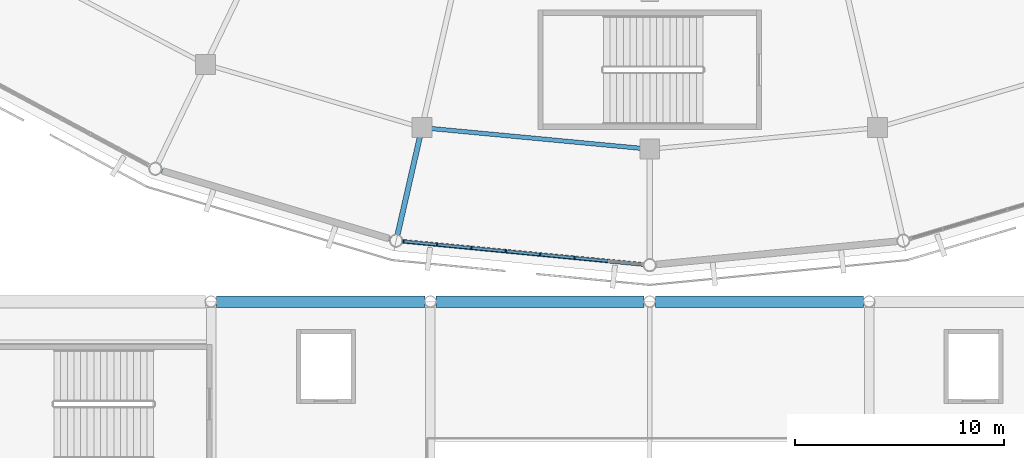
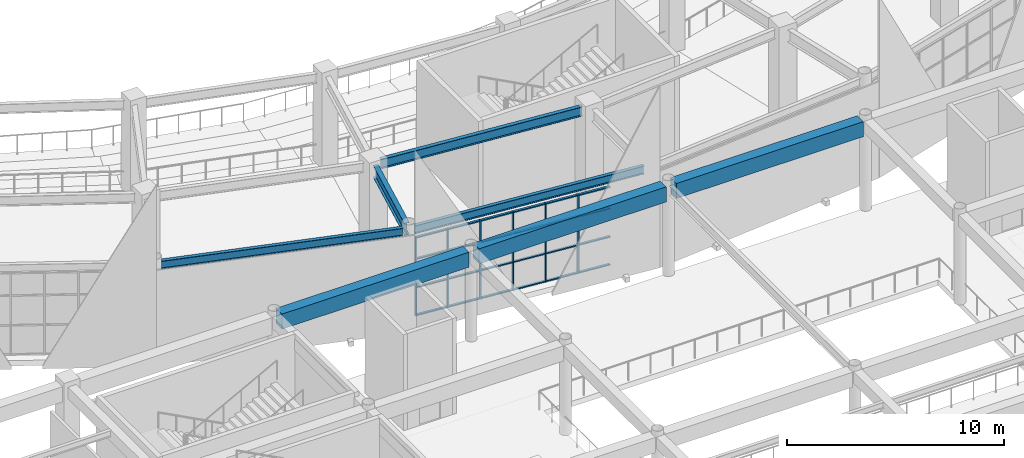
# One storey, part 24 of 120: 30 members, 7 beams, 1 element without a shape of its own.
"""IFC4 building model written with IfcOpenShell, lengths in metres."""

from ifc_helpers import new_model, si_unit, direction, frame, origin, origin_2d, place, context, subcontext, project, spatial, rectangle, i_section, extrude, material, material_profile, profile_set, type_object, element, aggregate, save


model = new_model("IFC4")

# Units and contexts
model_context = context("Model", 3, precision=1e-05, world=origin(), true_north=direction((0.0, 1.0)))
body_context = subcontext(model_context, "Body", "Model", "MODEL_VIEW")
ifc_project = project(units=[si_unit("LENGTHUNIT", "METRE"), si_unit("AREAUNIT", "SQUARE_METRE"), si_unit("VOLUMEUNIT", "CUBIC_METRE"), si_unit("PLANEANGLEUNIT", "RADIAN"), si_unit("MASSUNIT", "GRAM", prefix="KILO")], contexts=[model_context])

# Site, building, storey
site_placement = place(None, origin())
site = spatial("IfcSite", under=ifc_project, at=site_placement, CompositionType="ELEMENT")
building_placement = place(site_placement, origin())
building = spatial("IfcBuilding", under=site, at=building_placement, Name="Cuetzalor Civic Arena", CompositionType="ELEMENT")
storey_placement = place(building_placement, frame((0.0, 0.0, 6.0)))
storey = spatial("IfcBuildingStorey", under=building, at=storey_placement, Name="L01", CompositionType="ELEMENT", Elevation=6.0)

# Beams
ifc_material_1 = material(Name="Concrete C40/50", Category="concrete")
ifc_material_profile_1 = material_profile(ifc_material_1, rectangle(XDim=0.550048828125, YDim=0.85009765625, at=origin_2d()), Name="RC 550x850")
ifc_profile_set_1 = profile_set([ifc_material_profile_1], Name="Concrete C40/50")
beam_type_1 = type_object("IfcBeamType", Name="ConcreteFrameBeam_550x850", PredefinedType="BEAM", material=ifc_profile_set_1)
for number, where, z_axis, x_axis, name in (
    (1, (-20.73046875, -48.300048828125, 4.695068359375), (1.0, 0.0, 0.0), (0.0, 1.0, 0.0), "Frame Girder V3-L01-X0313"),
    (2, (-10.23046875, -48.300048828125, 4.695068359375), (1.0, 0.0, 0.0), (0.0, 1.0, 0.0), "Frame Girder V3-L01-X0314"),
    (3, (0.26953125, -48.300048828125, 4.695068359375), (1.0, 0.0, 0.0), (0.0, 1.0, 0.0), "Frame Girder V3-L01-X0315"),
):
    element("IfcBeam", number, at=place(storey_placement, frame(where, z_axis=z_axis, x_axis=x_axis)), inside=storey, type_object=beam_type_1, Name=name, PredefinedType="BEAM", context=body_context, shape_type="SweptSolid", body=[
        extrude(rectangle(XDim=0.550048828125, YDim=0.85009765625, at=origin_2d()), origin(), (0.0, 0.0, 1.0), 9.9609375),
    ])

# Curtain wall, members
ifc_material_2 = material(Name="Anodised dark bronze aluminium and low-E solar glass", Category="aluminium")
curtain_wall_type = type_object("IfcCurtainWallType", Name="UnitisedCW_11550x4450", PredefinedType="USERDEFINED", material=ifc_material_2)
curtain_wall_placement = place(storey_placement, origin())
curtain_wall = element("IfcCurtainWall", 4, at=curtain_wall_placement, inside=storey, type_object=curtain_wall_type, Name="Drum Triangle Foyer Curtain Wall L01-029", ObjectType="UNITISED CURTAIN WALL", PredefinedType="USERDEFINED")
ifc_material_3 = material(Name="Anodised dark bronze aluminium", Category="aluminium")
ifc_material_profile_2 = material_profile(ifc_material_3, rectangle(XDim=0.06494140625, YDim=0.14990234375, at=origin_2d()), Name="ALU MULLION 65x150")
ifc_profile_set_2 = profile_set([ifc_material_profile_2], Name="Anodised dark bronze aluminium")
member_type_1 = type_object("IfcMemberType", Name="CurtainWallMullion_60x150", PredefinedType="MULLION", material=ifc_profile_set_2)
member_1_placement = place(storey_placement, frame((-3.602294921875, -46.20361328125, 0.0), z_axis=(0.0, 0.0, 1.0), x_axis=(-0.995409139996, 0.095711253324, 0.0)))
member_1 = element("IfcMember", 5, at=member_1_placement, type_object=member_type_1, Name="CW-08 mullion 3", PredefinedType="MULLION", context=body_context, shape_type="SweptSolid", body=[
    extrude(rectangle(XDim=0.06494140625, YDim=0.14990234375, at=origin_2d()), origin(), (0.0, 0.0, 1.0), 4.431884765625),
])
member_2_placement = place(storey_placement, frame((-5.2470703125, -46.04541015625, 0.0), z_axis=(0.0, 0.0, 1.0), x_axis=(-0.995409139996, 0.095711253324, 0.0)))
member_2 = element("IfcMember", 6, at=member_2_placement, type_object=member_type_1, Name="CW-08 mullion 4", PredefinedType="MULLION", context=body_context, shape_type="SweptSolid", body=[
    extrude(rectangle(XDim=0.06494140625, YDim=0.14990234375, at=origin_2d()), origin(), (0.0, 0.0, 1.0), 4.431884765625),
])
member_3_placement = place(storey_placement, frame((-6.8916015625, -45.887451171875, 0.0), z_axis=(0.0, 0.0, 1.0), x_axis=(-0.995409139996, 0.095711253324, 0.0)))
member_3 = element("IfcMember", 7, at=member_3_placement, type_object=member_type_1, Name="CW-08 mullion 5", PredefinedType="MULLION", context=body_context, shape_type="SweptSolid", body=[
    extrude(rectangle(XDim=0.06494140625, YDim=0.14990234375, at=origin_2d()), origin(), (0.0, 0.0, 1.0), 4.431884765625),
])
member_4_placement = place(storey_placement, frame((-8.5361328125, -45.729248046875, 0.0), z_axis=(0.0, 0.0, 1.0), x_axis=(-0.995409139996, 0.095711253324, 0.0)))
member_4 = element("IfcMember", 8, at=member_4_placement, type_object=member_type_1, Name="CW-08 mullion 6", PredefinedType="MULLION", context=body_context, shape_type="SweptSolid", body=[
    extrude(rectangle(XDim=0.06494140625, YDim=0.14990234375, at=origin_2d()), origin(), (0.0, 0.0, 1.0), 4.431884765625),
])
member_5_placement = place(storey_placement, frame((-10.1806640625, -45.571044921875, 0.0), z_axis=(0.0, 0.0, 1.0), x_axis=(-0.995409139996, 0.095711253324, 0.0)))
member_5 = element("IfcMember", 9, at=member_5_placement, type_object=member_type_1, Name="CW-08 mullion 7", PredefinedType="MULLION", context=body_context, shape_type="SweptSolid", body=[
    extrude(rectangle(XDim=0.06494140625, YDim=0.14990234375, at=origin_2d()), origin(), (0.0, 0.0, 1.0), 4.431884765625),
])
member_6_placement = place(storey_placement, frame((-11.79296875, -45.416015625, 0.0), z_axis=(0.0, 0.0, 1.0), x_axis=(-0.995409139996, 0.095711253324, 0.0)))
member_6 = element("IfcMember", 10, at=member_6_placement, type_object=member_type_1, Name="CW-08 mullion 8", PredefinedType="MULLION", context=body_context, shape_type="SweptSolid", body=[
    extrude(rectangle(XDim=0.06494140625, YDim=0.14990234375, at=origin_2d()), origin(), (0.0, 0.0, 1.0), 4.431884765625),
])
ifc_material_4 = material(Name="Anodised dark bronze aluminium", Category="aluminium")
ifc_material_profile_3 = material_profile(ifc_material_4, rectangle(XDim=0.1201171875, YDim=0.06494140625, at=origin_2d()), Name="ALU TRANSOM 65x120")
ifc_profile_set_3 = profile_set([ifc_material_profile_3], Name="Anodised dark bronze aluminium")
member_type_2 = type_object("IfcMemberType", Name="CurtainWallTransom_60x120", PredefinedType="USERDEFINED", material=ifc_profile_set_3)
member_7_placement = place(storey_placement, frame((-1.990234375, -46.358642578125, 0.032470703125), z_axis=(-0.995412128785, 0.095680164442, 0.0), x_axis=(-0.095680164442, -0.995412128785, 0.0)))
member_7 = element("IfcMember", 11, at=member_7_placement, type_object=member_type_2, Name="CW-08 transom 2.1", ObjectType="TRANSOM", PredefinedType="USERDEFINED", context=body_context, shape_type="SweptSolid", body=[
    extrude(rectangle(XDim=0.1201171875, YDim=0.06494140625, at=origin_2d()), origin(), (0.0, 0.0, 1.0), 1.587158203125),
])
member_8_placement = place(storey_placement, frame((-1.990234375, -46.358642578125, 1.595947265625), z_axis=(-0.995412128785, 0.095680164442, 0.0), x_axis=(-0.095680164442, -0.995412128785, 0.0)))
member_8 = element("IfcMember", 12, at=member_8_placement, type_object=member_type_2, Name="CW-08 transom 2.2", ObjectType="TRANSOM", PredefinedType="USERDEFINED", context=body_context, shape_type="SweptSolid", body=[
    extrude(rectangle(XDim=0.1201171875, YDim=0.06494140625, at=origin_2d()), origin(), (0.0, 0.0, 1.0), 1.587158203125),
])
member_9_placement = place(storey_placement, frame((-1.990234375, -46.358642578125, 3.19091796875), z_axis=(-0.995412128785, 0.095680164442, 0.0), x_axis=(-0.095680164442, -0.995412128785, 0.0)))
member_9 = element("IfcMember", 13, at=member_9_placement, type_object=member_type_2, Name="CW-08 transom 2.3", ObjectType="TRANSOM", PredefinedType="USERDEFINED", context=body_context, shape_type="SweptSolid", body=[
    extrude(rectangle(XDim=0.1201171875, YDim=0.06494140625, at=origin_2d()), origin(), (0.0, 0.0, 1.0), 1.587158203125),
])
member_10_placement = place(storey_placement, frame((-1.990234375, -46.358642578125, 4.3994140625), z_axis=(-0.995412128785, 0.095680164442, 0.0), x_axis=(-0.095680164442, -0.995412128785, 0.0)))
member_10 = element("IfcMember", 14, at=member_10_placement, type_object=member_type_2, Name="CW-08 transom 2.4", ObjectType="TRANSOM", PredefinedType="USERDEFINED", context=body_context, shape_type="SweptSolid", body=[
    extrude(rectangle(XDim=0.1201171875, YDim=0.06494140625, at=origin_2d()), origin(), (0.0, 0.0, 1.0), 1.587158203125),
])
member_11_placement = place(storey_placement, frame((-3.634765625, -46.200439453125, 0.032470703125), z_axis=(-0.995412128785, 0.095680164442, 0.0), x_axis=(-0.095680164442, -0.995412128785, 0.0)))
member_11 = element("IfcMember", 15, at=member_11_placement, type_object=member_type_2, Name="CW-08 transom 3.1", ObjectType="TRANSOM", PredefinedType="USERDEFINED", context=body_context, shape_type="SweptSolid", body=[
    extrude(rectangle(XDim=0.1201171875, YDim=0.06494140625, at=origin_2d()), origin(), (0.0, 0.0, 1.0), 1.587158203125),
])
member_12_placement = place(storey_placement, frame((-3.634765625, -46.200439453125, 1.595947265625), z_axis=(-0.995412128785, 0.095680164442, 0.0), x_axis=(-0.095680164442, -0.995412128785, 0.0)))
member_12 = element("IfcMember", 16, at=member_12_placement, type_object=member_type_2, Name="CW-08 transom 3.2", ObjectType="TRANSOM", PredefinedType="USERDEFINED", context=body_context, shape_type="SweptSolid", body=[
    extrude(rectangle(XDim=0.1201171875, YDim=0.06494140625, at=origin_2d()), origin(), (0.0, 0.0, 1.0), 1.587158203125),
])
member_13_placement = place(storey_placement, frame((-3.634765625, -46.200439453125, 3.19091796875), z_axis=(-0.995412128785, 0.095680164442, 0.0), x_axis=(-0.095680164442, -0.995412128785, 0.0)))
member_13 = element("IfcMember", 17, at=member_13_placement, type_object=member_type_2, Name="CW-08 transom 3.3", ObjectType="TRANSOM", PredefinedType="USERDEFINED", context=body_context, shape_type="SweptSolid", body=[
    extrude(rectangle(XDim=0.1201171875, YDim=0.06494140625, at=origin_2d()), origin(), (0.0, 0.0, 1.0), 1.587158203125),
])
member_14_placement = place(storey_placement, frame((-3.634765625, -46.200439453125, 4.3994140625), z_axis=(-0.995412128785, 0.095680164442, 0.0), x_axis=(-0.095680164442, -0.995412128785, 0.0)))
member_14 = element("IfcMember", 18, at=member_14_placement, type_object=member_type_2, Name="CW-08 transom 3.4", ObjectType="TRANSOM", PredefinedType="USERDEFINED", context=body_context, shape_type="SweptSolid", body=[
    extrude(rectangle(XDim=0.1201171875, YDim=0.06494140625, at=origin_2d()), origin(), (0.0, 0.0, 1.0), 1.587158203125),
])
member_15_placement = place(storey_placement, frame((-5.279296875, -46.04248046875, 0.032470703125), z_axis=(-0.9953974667, 0.095832579471, 0.0), x_axis=(-0.095832579471, -0.9953974667, 0.0)))
member_15 = element("IfcMember", 19, at=member_15_placement, type_object=member_type_2, Name="CW-08 transom 4.1", ObjectType="TRANSOM", PredefinedType="USERDEFINED", context=body_context, shape_type="SweptSolid", body=[
    extrude(rectangle(XDim=0.1201171875, YDim=0.06494140625, at=origin_2d()), origin(), (0.0, 0.0, 1.0), 1.587158203125),
])
member_16_placement = place(storey_placement, frame((-5.279296875, -46.04248046875, 1.595947265625), z_axis=(-0.9953974667, 0.095832579471, 0.0), x_axis=(-0.095832579471, -0.9953974667, 0.0)))
member_16 = element("IfcMember", 20, at=member_16_placement, type_object=member_type_2, Name="CW-08 transom 4.2", ObjectType="TRANSOM", PredefinedType="USERDEFINED", context=body_context, shape_type="SweptSolid", body=[
    extrude(rectangle(XDim=0.1201171875, YDim=0.06494140625, at=origin_2d()), origin(), (0.0, 0.0, 1.0), 1.587158203125),
])
member_17_placement = place(storey_placement, frame((-5.279296875, -46.04248046875, 3.19091796875), z_axis=(-0.9953974667, 0.095832579471, 0.0), x_axis=(-0.095832579471, -0.9953974667, 0.0)))
member_17 = element("IfcMember", 21, at=member_17_placement, type_object=member_type_2, Name="CW-08 transom 4.3", ObjectType="TRANSOM", PredefinedType="USERDEFINED", context=body_context, shape_type="SweptSolid", body=[
    extrude(rectangle(XDim=0.1201171875, YDim=0.06494140625, at=origin_2d()), origin(), (0.0, 0.0, 1.0), 1.587158203125),
])
member_18_placement = place(storey_placement, frame((-5.279296875, -46.04248046875, 4.3994140625), z_axis=(-0.9953974667, 0.095832579471, 0.0), x_axis=(-0.095832579471, -0.9953974667, 0.0)))
member_18 = element("IfcMember", 22, at=member_18_placement, type_object=member_type_2, Name="CW-08 transom 4.4", ObjectType="TRANSOM", PredefinedType="USERDEFINED", context=body_context, shape_type="SweptSolid", body=[
    extrude(rectangle(XDim=0.1201171875, YDim=0.06494140625, at=origin_2d()), origin(), (0.0, 0.0, 1.0), 1.587158203125),
])
member_19_placement = place(storey_placement, frame((-6.923828125, -45.88427734375, 0.032470703125), z_axis=(-0.995412128785, 0.095680164442, 0.0), x_axis=(-0.095680164442, -0.995412128785, 0.0)))
member_19 = element("IfcMember", 23, at=member_19_placement, type_object=member_type_2, Name="CW-08 transom 5.1", ObjectType="TRANSOM", PredefinedType="USERDEFINED", context=body_context, shape_type="SweptSolid", body=[
    extrude(rectangle(XDim=0.1201171875, YDim=0.06494140625, at=origin_2d()), origin(), (0.0, 0.0, 1.0), 1.587158203125),
])
member_20_placement = place(storey_placement, frame((-6.923828125, -45.88427734375, 1.595947265625), z_axis=(-0.995412128785, 0.095680164442, 0.0), x_axis=(-0.095680164442, -0.995412128785, 0.0)))
member_20 = element("IfcMember", 24, at=member_20_placement, type_object=member_type_2, Name="CW-08 transom 5.2", ObjectType="TRANSOM", PredefinedType="USERDEFINED", context=body_context, shape_type="SweptSolid", body=[
    extrude(rectangle(XDim=0.1201171875, YDim=0.06494140625, at=origin_2d()), origin(), (0.0, 0.0, 1.0), 1.587158203125),
])
member_21_placement = place(storey_placement, frame((-6.923828125, -45.88427734375, 3.19091796875), z_axis=(-0.995412128785, 0.095680164442, 0.0), x_axis=(-0.095680164442, -0.995412128785, 0.0)))
member_21 = element("IfcMember", 25, at=member_21_placement, type_object=member_type_2, Name="CW-08 transom 5.3", ObjectType="TRANSOM", PredefinedType="USERDEFINED", context=body_context, shape_type="SweptSolid", body=[
    extrude(rectangle(XDim=0.1201171875, YDim=0.06494140625, at=origin_2d()), origin(), (0.0, 0.0, 1.0), 1.587158203125),
])
member_22_placement = place(storey_placement, frame((-6.923828125, -45.88427734375, 4.3994140625), z_axis=(-0.995412128785, 0.095680164442, 0.0), x_axis=(-0.095680164442, -0.995412128785, 0.0)))
member_22 = element("IfcMember", 26, at=member_22_placement, type_object=member_type_2, Name="CW-08 transom 5.4", ObjectType="TRANSOM", PredefinedType="USERDEFINED", context=body_context, shape_type="SweptSolid", body=[
    extrude(rectangle(XDim=0.1201171875, YDim=0.06494140625, at=origin_2d()), origin(), (0.0, 0.0, 1.0), 1.587158203125),
])
member_23_placement = place(storey_placement, frame((-8.568359375, -45.72607421875, 0.032470703125), z_axis=(-0.995412128785, 0.095680164442, 0.0), x_axis=(-0.095680164442, -0.995412128785, 0.0)))
member_23 = element("IfcMember", 27, at=member_23_placement, type_object=member_type_2, Name="CW-08 transom 6.1", ObjectType="TRANSOM", PredefinedType="USERDEFINED", context=body_context, shape_type="SweptSolid", body=[
    extrude(rectangle(XDim=0.1201171875, YDim=0.06494140625, at=origin_2d()), origin(), (0.0, 0.0, 1.0), 1.587158203125),
])
member_24_placement = place(storey_placement, frame((-8.568359375, -45.72607421875, 1.595947265625), z_axis=(-0.995412128785, 0.095680164442, 0.0), x_axis=(-0.095680164442, -0.995412128785, 0.0)))
member_24 = element("IfcMember", 28, at=member_24_placement, type_object=member_type_2, Name="CW-08 transom 6.2", ObjectType="TRANSOM", PredefinedType="USERDEFINED", context=body_context, shape_type="SweptSolid", body=[
    extrude(rectangle(XDim=0.1201171875, YDim=0.06494140625, at=origin_2d()), origin(), (0.0, 0.0, 1.0), 1.587158203125),
])
member_25_placement = place(storey_placement, frame((-8.568359375, -45.72607421875, 3.19091796875), z_axis=(-0.995412128785, 0.095680164442, 0.0), x_axis=(-0.095680164442, -0.995412128785, 0.0)))
member_25 = element("IfcMember", 29, at=member_25_placement, type_object=member_type_2, Name="CW-08 transom 6.3", ObjectType="TRANSOM", PredefinedType="USERDEFINED", context=body_context, shape_type="SweptSolid", body=[
    extrude(rectangle(XDim=0.1201171875, YDim=0.06494140625, at=origin_2d()), origin(), (0.0, 0.0, 1.0), 1.587158203125),
])
member_26_placement = place(storey_placement, frame((-8.568359375, -45.72607421875, 4.3994140625), z_axis=(-0.995412128785, 0.095680164442, 0.0), x_axis=(-0.095680164442, -0.995412128785, 0.0)))
member_26 = element("IfcMember", 30, at=member_26_placement, type_object=member_type_2, Name="CW-08 transom 6.4", ObjectType="TRANSOM", PredefinedType="USERDEFINED", context=body_context, shape_type="SweptSolid", body=[
    extrude(rectangle(XDim=0.1201171875, YDim=0.06494140625, at=origin_2d()), origin(), (0.0, 0.0, 1.0), 1.587158203125),
])
member_27_placement = place(storey_placement, frame((-10.212890625, -45.568115234375, 0.032470703125), z_axis=(-0.995401833719, 0.095787209113, 0.0), x_axis=(-0.095787209113, -0.995401833719, 0.0)))
member_27 = element("IfcMember", 31, at=member_27_placement, type_object=member_type_2, Name="CW-08 transom 7.1", ObjectType="TRANSOM", PredefinedType="USERDEFINED", context=body_context, shape_type="SweptSolid", body=[
    extrude(rectangle(XDim=0.1201171875, YDim=0.06494140625, at=origin_2d()), origin(), (0.0, 0.0, 1.0), 1.5546875),
])
member_28_placement = place(storey_placement, frame((-10.212890625, -45.568115234375, 1.595947265625), z_axis=(-0.995401833719, 0.095787209113, 0.0), x_axis=(-0.095787209113, -0.995401833719, 0.0)))
member_28 = element("IfcMember", 32, at=member_28_placement, type_object=member_type_2, Name="CW-08 transom 7.2", ObjectType="TRANSOM", PredefinedType="USERDEFINED", context=body_context, shape_type="SweptSolid", body=[
    extrude(rectangle(XDim=0.1201171875, YDim=0.06494140625, at=origin_2d()), origin(), (0.0, 0.0, 1.0), 1.5546875),
])
member_29_placement = place(storey_placement, frame((-10.212890625, -45.568115234375, 3.19091796875), z_axis=(-0.995401833719, 0.095787209113, 0.0), x_axis=(-0.095787209113, -0.995401833719, 0.0)))
member_29 = element("IfcMember", 33, at=member_29_placement, type_object=member_type_2, Name="CW-08 transom 7.3", ObjectType="TRANSOM", PredefinedType="USERDEFINED", context=body_context, shape_type="SweptSolid", body=[
    extrude(rectangle(XDim=0.1201171875, YDim=0.06494140625, at=origin_2d()), origin(), (0.0, 0.0, 1.0), 1.5546875),
])
member_30_placement = place(storey_placement, frame((-10.212890625, -45.568115234375, 4.3994140625), z_axis=(-0.995401833719, 0.095787209113, 0.0), x_axis=(-0.095787209113, -0.995401833719, 0.0)))
member_30 = element("IfcMember", 34, at=member_30_placement, type_object=member_type_2, Name="CW-08 transom 7.4", ObjectType="TRANSOM", PredefinedType="USERDEFINED", context=body_context, shape_type="SweptSolid", body=[
    extrude(rectangle(XDim=0.1201171875, YDim=0.06494140625, at=origin_2d()), origin(), (0.0, 0.0, 1.0), 1.5546875),
])
aggregate(curtain_wall, [member_1, member_2, member_3, member_4, member_5, member_6, member_7, member_8, member_9, member_10, member_11, member_12, member_13, member_14, member_15, member_16, member_17, member_18, member_19, member_20, member_21, member_22, member_23, member_24, member_25, member_26, member_27, member_28, member_29, member_30])

# Beams
ifc_material_5 = material(Name="Steel S355", Category="steel")
ifc_material_profile_4 = material_profile(ifc_material_5, i_section(OverallWidth=0.18994140625, OverallDepth=0.45703125, WebThickness=0.009033203125, FlangeThickness=0.014404296875, at=origin_2d()), Name="W460x74")
ifc_profile_set_4 = profile_set([ifc_material_profile_4], Name="Steel S355")
beam_type_2 = type_object("IfcBeamType", Name="FacadeSpandrelBeam_W460", PredefinedType="SPANDREL", material=ifc_profile_set_4)
beam_1_placement = place(storey_placement, frame((-23.390380859375, -42.023193359375, 4.8916015625), z_axis=(0.958199215373, -0.28610184141, 0.0), x_axis=(0.28610184141, 0.958199215373, 0.0)))
element("IfcBeam", 35, at=beam_1_placement, inside=storey, type_object=beam_type_2, Name="Drum Perimeter Spandrel L01-S20", PredefinedType="SPANDREL", context=body_context, shape_type="SweptSolid", body=[
    extrude(i_section(OverallWidth=0.18994140625, OverallDepth=0.45703125, WebThickness=0.009033203125, FlangeThickness=0.014404296875, at=origin_2d()), origin(), (0.0, 0.0, 1.0), 11.45263671875),
])
beam_2_placement = place(storey_placement, frame((-11.849853515625, -45.41064453125, 4.8916015625), z_axis=(0.995409568272, -0.095706799095, 0.0), x_axis=(0.095706799095, 0.995409568272, 0.0)))
element("IfcBeam", 36, at=beam_2_placement, inside=storey, type_object=beam_type_2, Name="Drum Perimeter Spandrel L01-S21", PredefinedType="SPANDREL", context=body_context, shape_type="SweptSolid", body=[
    extrude(i_section(OverallWidth=0.18994140625, OverallDepth=0.45703125, WebThickness=0.009033203125, FlangeThickness=0.014404296875, at=origin_2d()), origin(), (0.0, 0.0, 1.0), 11.6142578125),
])
ifc_material_6 = material(Name="Steel S355", Category="steel")
ifc_material_profile_5 = material_profile(ifc_material_6, i_section(OverallWidth=0.208984375, OverallDepth=0.532958984375, WebThickness=0.01025390625, FlangeThickness=0.015625, at=origin_2d()), Name="W530x92")
ifc_profile_set_5 = profile_set([ifc_material_profile_5], Name="Steel S355")
beam_type_3 = type_object("IfcBeamType", Name="SteelCollarGirder_W530", PredefinedType="BEAM", material=ifc_profile_set_5)
beam_3_placement = place(storey_placement, frame((-10.53515625, -40.006591796875, 4.853515625), z_axis=(0.995583045118, -0.093885037538, 0.0), x_axis=(0.093885037538, 0.995583045118, 0.0)))
element("IfcBeam", 37, at=beam_3_placement, inside=storey, type_object=beam_type_3, Name="Drum Concourse Ring Girder L01-S21", PredefinedType="BEAM", context=body_context, shape_type="SweptSolid", body=[
    extrude(i_section(OverallWidth=0.208984375, OverallDepth=0.532958984375, WebThickness=0.01025390625, FlangeThickness=0.015625, at=origin_2d()), origin(), (0.0, 0.0, 1.0), 10.2119140625),
])
ifc_material_7 = material(Name="Steel S355", Category="steel")
ifc_material_profile_6 = material_profile(ifc_material_7, i_section(OverallWidth=0.2529296875, OverallDepth=0.677978515625, WebThickness=0.01171875, FlangeThickness=0.016357421875, at=origin_2d()), Name="W690x125")
ifc_profile_set_6 = profile_set([ifc_material_profile_6], Name="Steel S355")
beam_type_4 = type_object("IfcBeamType", Name="SteelPrimaryGirder_W690", PredefinedType="BEAM", material=ifc_profile_set_6)
beam_4_placement = place(storey_placement, frame((-10.983642578125, -40.322998046875, 4.781005859375), z_axis=(-0.222519036633, -0.974928345231, 0.0), x_axis=(0.974928345231, -0.222519036633, 0.0)))
element("IfcBeam", 38, at=beam_4_placement, inside=storey, type_object=beam_type_4, Name="Drum Radial Girder L01-R21", PredefinedType="BEAM", context=body_context, shape_type="SweptSolid", body=[
    extrude(i_section(OverallWidth=0.2529296875, OverallDepth=0.677978515625, WebThickness=0.01171875, FlangeThickness=0.016357421875, at=origin_2d()), origin(), (0.0, 0.0, 1.0), 4.89990234375),
])

save(model, "model.ifc")
